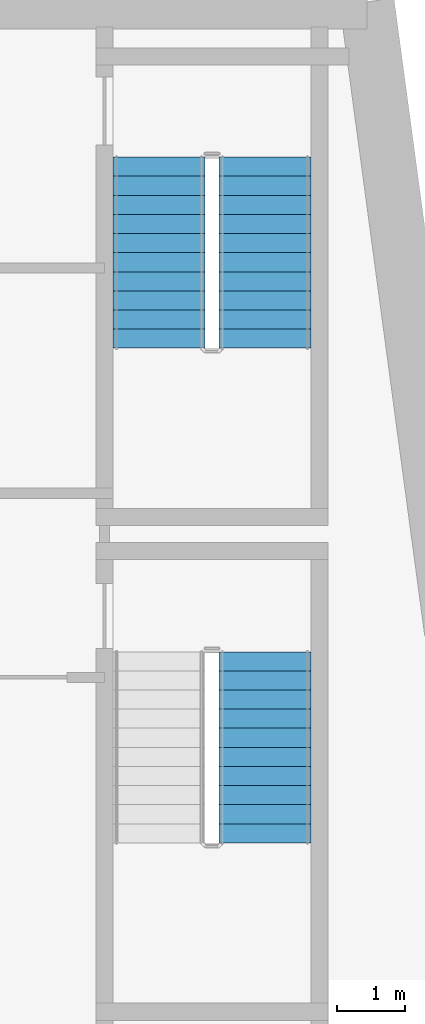
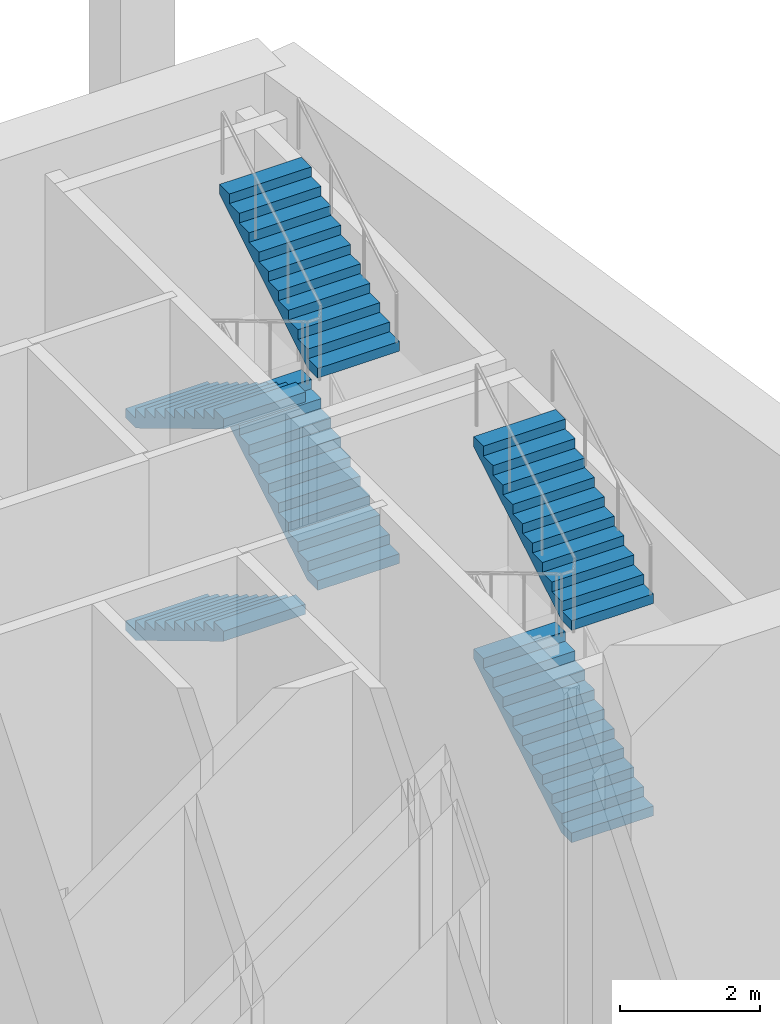
# One storey, part 6 of 10: 6 stair flights, 2 elements without a shape of their own.
"""IFC4 building model written with IfcOpenShell, lengths in metres."""

from ifc_helpers import new_model, si_unit, direction, frame, origin, place, context, subcontext, project, spatial, polyline, outline, extrude, material, type_object, element, aggregate, save


model = new_model("IFC4")

# Units and contexts
model_context = context("Model", 3, precision=1e-05, world=origin(), true_north=direction((0.0, 1.0)))
body_context = subcontext(model_context, "Body", "Model", "MODEL_VIEW")
ifc_project = project(units=[si_unit("LENGTHUNIT", "METRE"), si_unit("AREAUNIT", "SQUARE_METRE"), si_unit("VOLUMEUNIT", "CUBIC_METRE"), si_unit("PLANEANGLEUNIT", "RADIAN"), si_unit("MASSUNIT", "GRAM", prefix="KILO")], contexts=[model_context])

# Site, building, storey
site_placement = place(None, origin())
site = spatial("IfcSite", under=ifc_project, at=site_placement, CompositionType="ELEMENT")
building_placement = place(site_placement, origin())
building = spatial("IfcBuilding", under=site, at=building_placement, Name="Candeia Pilgrim Tower and Theatre", CompositionType="ELEMENT")
storey_placement = place(building_placement, frame((0.0, 0.0, 246.60009765625)))
storey = spatial("IfcBuildingStorey", under=building, at=storey_placement, Name="L60", CompositionType="ELEMENT", Elevation=246.60009765625)

# Stair, stair flights
ifc_material = material(Name="Concrete C40/50", Category="concrete")
stair_type = type_object("IfcStairType", Name="ST-TWR dog-leg escape stair", PredefinedType="HALF_TURN_STAIR", material=ifc_material)
stair_1_placement = place(storey_placement, origin())
stair_1 = element("IfcStair", 1, at=stair_1_placement, inside=storey, type_object=stair_type, Name="L60 Escape stair ST3", PredefinedType="HALF_TURN_STAIR")
stair_flight_type = type_object("IfcStairFlightType", Name="SFL-RC stair flight", PredefinedType="STRAIGHT", material=ifc_material)
stair_flight_1_placement = place(storey_placement, frame((136.322998046875, 119.675048828125, 1.849853515625), z_axis=(0.0, 0.0, 1.0), x_axis=(0.0, 1.0, 0.0)))
stair_flight_1 = element("IfcStairFlight", 2, at=stair_flight_1_placement, type_object=stair_flight_type, Name="ST3 flight 2", NumberOfRisers=11, NumberOfTreads=10, PredefinedType="STRAIGHT", RiserHeight=0.168181818, TreadLength=0.28, context=body_context, shape_type="SweptSolid", body=[
    extrude(outline(polyline([(0.0, 0.0), (0.0, 0.168212890625), (0.280029296875, 0.168212890625), (0.280029296875, 0.33642578125), (0.56005859375, 0.33642578125), (0.56005859375, 0.504638671875), (0.840087890625, 0.504638671875), (0.840087890625, 0.672607421875), (1.1201171875, 0.672607421875), (1.1201171875, 0.8408203125), (1.39990234375, 0.8408203125), (1.39990234375, 1.009033203125), (1.679931640625, 1.009033203125), (1.679931640625, 1.17724609375), (1.9599609375, 1.17724609375), (1.9599609375, 1.345458984375), (2.239990234375, 1.345458984375), (2.239990234375, 1.513671875), (2.52001953125, 1.513671875), (2.52001953125, 1.681884765625), (2.800048828125, 1.681884765625), (2.800048828125, 1.85009765625), (2.800048828125, 1.5068359375), (0.291015625, 0.0), (0.0, 0.0)])), frame((0.0, 0.675048828125, 0.0), z_axis=(0.0, -1.0, 0.0), x_axis=(1.0, 0.0, 0.0)), (0.0, 0.0, 1.0), 1.35009765625),
])
stair_flight_2_placement = place(storey_placement, frame((136.322998046875, 119.675048828125, 5.5498046875), z_axis=(0.0, 0.0, 1.0), x_axis=(0.0, 1.0, 0.0)))
stair_flight_2 = element("IfcStairFlight", 3, at=stair_flight_2_placement, type_object=stair_flight_type, Name="ST3 flight 4", NumberOfRisers=11, NumberOfTreads=10, PredefinedType="STRAIGHT", RiserHeight=0.168181818, TreadLength=0.28, context=body_context, shape_type="SweptSolid", body=[
    extrude(outline(polyline([(0.0, 0.0), (0.0, 0.168212890625), (0.280029296875, 0.168212890625), (0.280029296875, 0.33642578125), (0.56005859375, 0.33642578125), (0.56005859375, 0.504638671875), (0.840087890625, 0.504638671875), (0.840087890625, 0.672607421875), (1.1201171875, 0.672607421875), (1.1201171875, 0.8408203125), (1.39990234375, 0.8408203125), (1.39990234375, 1.009033203125), (1.679931640625, 1.009033203125), (1.679931640625, 1.17724609375), (1.9599609375, 1.17724609375), (1.9599609375, 1.345458984375), (2.239990234375, 1.345458984375), (2.239990234375, 1.513671875), (2.52001953125, 1.513671875), (2.52001953125, 1.681884765625), (2.800048828125, 1.681884765625), (2.800048828125, 1.85009765625), (2.800048828125, 1.5068359375), (0.291015625, 0.0), (0.0, 0.0)])), frame((0.0, 0.675048828125, 0.0), z_axis=(0.0, -1.0, 0.0), x_axis=(1.0, 0.0, 0.0)), (0.0, 0.0, 1.0), 1.35009765625),
])
aggregate(stair_1, [stair_flight_1, stair_flight_2])

stair_2_placement = place(storey_placement, origin())
stair_2 = element("IfcStair", 4, at=stair_2_placement, inside=storey, type_object=stair_type, Name="L60 Escape stair ST4", PredefinedType="HALF_TURN_STAIR")
stair_flight_3_placement = place(storey_placement, frame((134.77294921875, 129.72509765625, 0.0), z_axis=(0.0, 0.0, 1.0), x_axis=(0.0, -1.0, 0.0)))
stair_flight_3 = element("IfcStairFlight", 5, at=stair_flight_3_placement, type_object=stair_flight_type, Name="ST4 flight 1", NumberOfRisers=11, NumberOfTreads=10, PredefinedType="STRAIGHT", RiserHeight=0.168181818, TreadLength=0.28, context=body_context, shape_type="SweptSolid", body=[
    extrude(outline(polyline([(0.0, 0.0), (0.0, 0.168212890625), (0.280029296875, 0.168212890625), (0.280029296875, 0.33642578125), (0.56005859375, 0.33642578125), (0.56005859375, 0.504638671875), (0.840087890625, 0.504638671875), (0.840087890625, 0.672607421875), (1.1201171875, 0.672607421875), (1.1201171875, 0.8408203125), (1.39990234375, 0.8408203125), (1.39990234375, 1.009033203125), (1.679931640625, 1.009033203125), (1.679931640625, 1.17724609375), (1.9599609375, 1.17724609375), (1.9599609375, 1.345458984375), (2.239990234375, 1.345458984375), (2.239990234375, 1.513671875), (2.52001953125, 1.513671875), (2.52001953125, 1.681884765625), (2.800048828125, 1.681884765625), (2.800048828125, 1.85009765625), (2.800048828125, 1.5068359375), (0.291015625, 0.0), (0.0, 0.0)])), frame((0.0, 0.675048828125, 0.0), z_axis=(0.0, -1.0, 0.0), x_axis=(1.0, 0.0, 0.0)), (0.0, 0.0, 1.0), 1.35009765625),
])
stair_flight_4_placement = place(storey_placement, frame((136.322998046875, 126.925048828125, 1.849853515625), z_axis=(0.0, 0.0, 1.0), x_axis=(0.0, 1.0, 0.0)))
stair_flight_4 = element("IfcStairFlight", 6, at=stair_flight_4_placement, type_object=stair_flight_type, Name="ST4 flight 2", NumberOfRisers=11, NumberOfTreads=10, PredefinedType="STRAIGHT", RiserHeight=0.168181818, TreadLength=0.28, context=body_context, shape_type="SweptSolid", body=[
    extrude(outline(polyline([(0.0, 0.0), (0.0, 0.168212890625), (0.280029296875, 0.168212890625), (0.280029296875, 0.33642578125), (0.56005859375, 0.33642578125), (0.56005859375, 0.504638671875), (0.840087890625, 0.504638671875), (0.840087890625, 0.672607421875), (1.1201171875, 0.672607421875), (1.1201171875, 0.8408203125), (1.39990234375, 0.8408203125), (1.39990234375, 1.009033203125), (1.679931640625, 1.009033203125), (1.679931640625, 1.17724609375), (1.9599609375, 1.17724609375), (1.9599609375, 1.345458984375), (2.239990234375, 1.345458984375), (2.239990234375, 1.513671875), (2.52001953125, 1.513671875), (2.52001953125, 1.681884765625), (2.800048828125, 1.681884765625), (2.800048828125, 1.85009765625), (2.800048828125, 1.5068359375), (0.291015625, 0.0), (0.0, 0.0)])), frame((0.0, 0.675048828125, 0.0), z_axis=(0.0, -1.0, 0.0), x_axis=(1.0, 0.0, 0.0)), (0.0, 0.0, 1.0), 1.35009765625),
])
stair_flight_5_placement = place(storey_placement, frame((134.77294921875, 129.72509765625, 3.699951171875), z_axis=(0.0, 0.0, 1.0), x_axis=(0.0, -1.0, 0.0)))
stair_flight_5 = element("IfcStairFlight", 7, at=stair_flight_5_placement, type_object=stair_flight_type, Name="ST4 flight 3", NumberOfRisers=11, NumberOfTreads=10, PredefinedType="STRAIGHT", RiserHeight=0.168181818, TreadLength=0.28, context=body_context, shape_type="SweptSolid", body=[
    extrude(outline(polyline([(0.0, 0.0), (0.0, 0.168212890625), (0.280029296875, 0.168212890625), (0.280029296875, 0.33642578125), (0.56005859375, 0.33642578125), (0.56005859375, 0.504638671875), (0.840087890625, 0.504638671875), (0.840087890625, 0.672607421875), (1.1201171875, 0.672607421875), (1.1201171875, 0.8408203125), (1.39990234375, 0.8408203125), (1.39990234375, 1.009033203125), (1.679931640625, 1.009033203125), (1.679931640625, 1.17724609375), (1.9599609375, 1.17724609375), (1.9599609375, 1.345458984375), (2.239990234375, 1.345458984375), (2.239990234375, 1.513671875), (2.52001953125, 1.513671875), (2.52001953125, 1.681884765625), (2.800048828125, 1.681884765625), (2.800048828125, 1.85009765625), (2.800048828125, 1.5068359375), (0.291015625, 0.0), (0.0, 0.0)])), frame((0.0, 0.675048828125, 0.0), z_axis=(0.0, -1.0, 0.0), x_axis=(1.0, 0.0, 0.0)), (0.0, 0.0, 1.0), 1.35009765625),
])
stair_flight_6_placement = place(storey_placement, frame((136.322998046875, 126.925048828125, 5.5498046875), z_axis=(0.0, 0.0, 1.0), x_axis=(0.0, 1.0, 0.0)))
stair_flight_6 = element("IfcStairFlight", 8, at=stair_flight_6_placement, type_object=stair_flight_type, Name="ST4 flight 4", NumberOfRisers=11, NumberOfTreads=10, PredefinedType="STRAIGHT", RiserHeight=0.168181818, TreadLength=0.28, context=body_context, shape_type="SweptSolid", body=[
    extrude(outline(polyline([(0.0, 0.0), (0.0, 0.168212890625), (0.280029296875, 0.168212890625), (0.280029296875, 0.33642578125), (0.56005859375, 0.33642578125), (0.56005859375, 0.504638671875), (0.840087890625, 0.504638671875), (0.840087890625, 0.672607421875), (1.1201171875, 0.672607421875), (1.1201171875, 0.8408203125), (1.39990234375, 0.8408203125), (1.39990234375, 1.009033203125), (1.679931640625, 1.009033203125), (1.679931640625, 1.17724609375), (1.9599609375, 1.17724609375), (1.9599609375, 1.345458984375), (2.239990234375, 1.345458984375), (2.239990234375, 1.513671875), (2.52001953125, 1.513671875), (2.52001953125, 1.681884765625), (2.800048828125, 1.681884765625), (2.800048828125, 1.85009765625), (2.800048828125, 1.5068359375), (0.291015625, 0.0), (0.0, 0.0)])), frame((0.0, 0.675048828125, 0.0), z_axis=(0.0, -1.0, 0.0), x_axis=(1.0, 0.0, 0.0)), (0.0, 0.0, 1.0), 1.35009765625),
])
aggregate(stair_2, [stair_flight_3, stair_flight_4, stair_flight_5, stair_flight_6])

save(model, "model.ifc")
